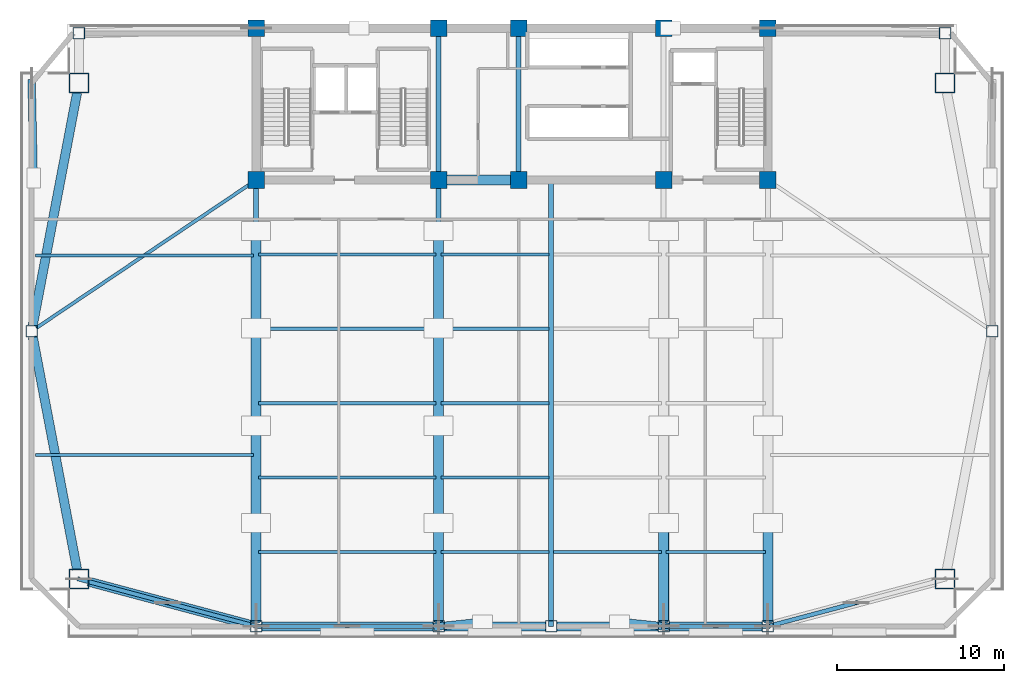
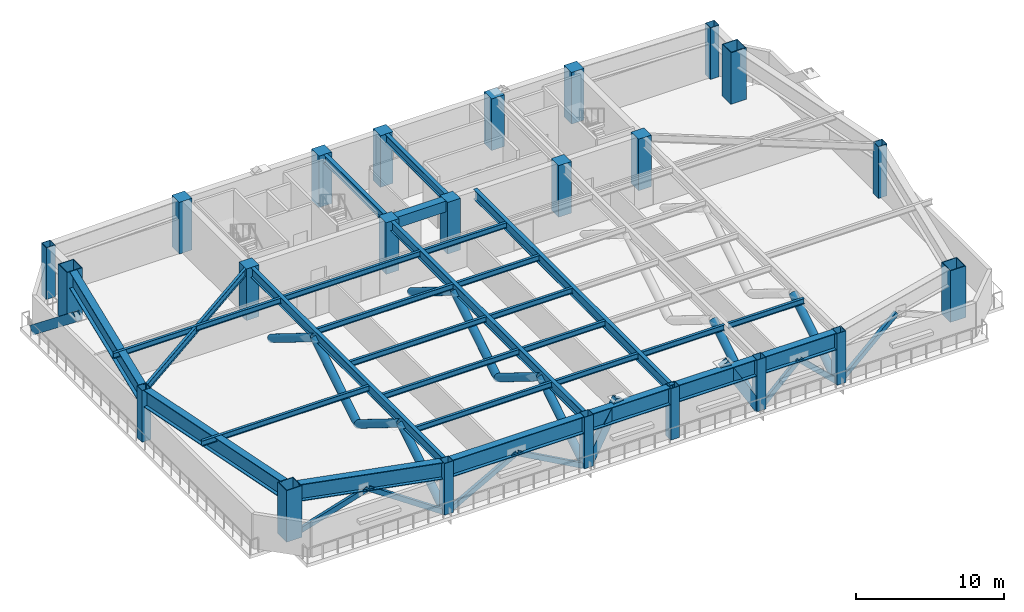
# One storey, part 1 of 11: 28 beams, 23 columns, 20 members.
"""IFC4 building model written with IfcOpenShell, lengths in metres."""

import ifcopenshell
import ifcopenshell.guid

model = None  # the IFC model being written
_history = None  # IfcOwnerHistory: only IFC2X3 demands one
_inside = {}  # id of a spatial element -> (the spatial element, [elements in it])
_under = {}  # id of a project, library or spatial element -> (it, [spatial elements below it])
_declared = {}  # id of a project -> (the project, [libraries it declares])
_typed = {}  # id of a type object -> (the type object, [elements of that type])
_made_of = {}  # id of a material, layer set ... -> (it, [elements and type objects made of it])


def new_model(schema):
    """Start an empty IFC model of exactly this schema.

    Asked for "IFC4X3", IfcOpenShell would pick the latest addendum, in which some entities
    have other attributes; the version numbers below select the first issue.
    IFC2X3 requires an IfcOwnerHistory on every rooted entity: one is made here for all.
    """
    global model, _history
    if schema == "IFC4X3":
        model = ifcopenshell.file(schema_version=(4, 3, 0, 0))
    else:
        model = ifcopenshell.file(schema=schema)
    _inside.clear()
    _under.clear()
    _declared.clear()
    _typed.clear()
    _made_of.clear()
    _history = None
    if model.schema == "IFC2X3":
        org = make("IfcOrganization", Name="unknown")
        user = make(
            "IfcPersonAndOrganization",
            ThePerson=make("IfcPerson", FamilyName="unknown"),
            TheOrganization=org,
        )
        app = make(
            "IfcApplication",
            ApplicationDeveloper=org,
            Version="unknown",
            ApplicationFullName="unknown",
            ApplicationIdentifier="unknown",
        )
        _history = make(
            "IfcOwnerHistory",
            OwningUser=user,
            OwningApplication=app,
            ChangeAction="ADDED",
            CreationDate=0,
        )
    return model


def make(cls, **values):
    """One entity of the class cls with the attributes given. An attribute that is None is left unset."""
    return model.create_entity(
        cls, **{name: value for name, value in values.items() if value is not None}
    )


def rooted(cls, **values):
    """An entity with a GlobalId (a new one), such as an element, a storey or a relation."""
    return make(cls, GlobalId=ifcopenshell.guid.new(), OwnerHistory=_history, **values)


def si_unit(unit_type, name, prefix=None):
    """IfcSIUnit, for example si_unit("LENGTHUNIT", "METRE", prefix="MILLI")."""
    return make("IfcSIUnit", UnitType=unit_type, Prefix=prefix, Name=name)


def assignment(units):
    """IfcUnitAssignment: the units of a project."""
    return None if units is None else make("IfcUnitAssignment", Units=units)


def point(xyz):
    """IfcCartesianPoint."""
    return None if xyz is None else make("IfcCartesianPoint", Coordinates=xyz)


def direction(xyz):
    """IfcDirection."""
    return None if xyz is None else make("IfcDirection", DirectionRatios=xyz)


def frame(location, z_axis=None, x_axis=None):
    """IfcAxis2Placement3D, a coordinate frame: its origin and axes. An axis left out is left unset."""
    return make(
        "IfcAxis2Placement3D",
        Location=point(location),
        Axis=direction(z_axis),
        RefDirection=direction(x_axis),
    )


def frame_2d(location, x_axis=None):
    """IfcAxis2Placement2D, a coordinate frame in the plane: its origin and x axis."""
    return make(
        "IfcAxis2Placement2D", Location=point(location), RefDirection=direction(x_axis)
    )


def origin():
    """The frame at (0, 0, 0) with its axes left unset."""
    return frame((0.0, 0.0, 0.0))


def origin_2d():
    """The frame at (0, 0) in the plane with its x axis left unset."""
    return frame_2d((0.0, 0.0))


def place(relative_to, where):
    """IfcLocalPlacement: puts the frame where relative to a parent placement (None: the world)."""
    return make(
        "IfcLocalPlacement", PlacementRelTo=relative_to, RelativePlacement=where
    )


def context(
    kind, dimensions, precision=None, world=None, true_north=None, identifier=None
):
    """IfcGeometricRepresentationContext, for example the 3D "Model" context."""
    return make(
        "IfcGeometricRepresentationContext",
        ContextIdentifier=identifier,
        ContextType=kind,
        CoordinateSpaceDimension=dimensions,
        Precision=precision,
        WorldCoordinateSystem=world,
        TrueNorth=true_north,
    )


def subcontext(parent, identifier, kind, view, scale=None):
    """IfcGeometricRepresentationSubContext, for example "Body" below "Model"."""
    return make(
        "IfcGeometricRepresentationSubContext",
        ContextIdentifier=identifier,
        ContextType=kind,
        ParentContext=parent,
        TargetScale=scale,
        TargetView=view,
    )


def project(units=None, contexts=None):
    """IfcProject with its units and contexts."""
    return rooted(
        "IfcProject",
        Name="project",
        RepresentationContexts=contexts,
        UnitsInContext=assignment(units),
    )


def spatial(cls, under=None, at=None, **own):
    """A site, building, storey or space (cls), placed at a placement, below another one or the project."""
    s = rooted(cls, ObjectPlacement=at, **own)
    if under is not None:
        _under.setdefault(under.id(), (under, []))[1].append(s)
    return s


def profile(cls, at=None, kind="AREA", **sizes):
    """A parametric profile (cls). Its sizes go by their IFC names, for example OverallWidth=200.0."""
    return make(cls, ProfileType=kind, Position=at, **sizes)


def rectangle(**sizes):
    """IfcRectangleProfileDef."""
    return profile("IfcRectangleProfileDef", **sizes)


def hollow_rectangle(**sizes):
    """IfcRectangleHollowProfileDef."""
    return profile("IfcRectangleHollowProfileDef", **sizes)


def hollow_circle(**sizes):
    """IfcCircleHollowProfileDef."""
    return profile("IfcCircleHollowProfileDef", **sizes)


def i_section(**sizes):
    """IfcIShapeProfileDef."""
    return profile("IfcIShapeProfileDef", **sizes)


def extrude(swept, where, along, depth):
    """IfcExtrudedAreaSolid: the profile swept, set in the frame where, extruded along a direction by depth."""
    return make(
        "IfcExtrudedAreaSolid",
        SweptArea=swept,
        Position=where,
        ExtrudedDirection=direction(along),
        Depth=depth,
    )


def shape(context_of_items, identifier, shape_type, items):
    """IfcShapeRepresentation: the items that make up one representation, for example the "Body"."""
    return make(
        "IfcShapeRepresentation",
        ContextOfItems=context_of_items,
        RepresentationIdentifier=identifier,
        RepresentationType=shape_type,
        Items=items,
    )


def source(mapping_origin, context_of_items, identifier, shape_type, items):
    """IfcRepresentationMap: a shape defined once, which mapped items show again and again."""
    return make(
        "IfcRepresentationMap",
        MappingOrigin=mapping_origin,
        MappedRepresentation=shape(context_of_items, identifier, shape_type, items),
    )


def transform(
    local_origin,
    x_axis=None,
    y_axis=None,
    z_axis=None,
    scale=None,
    scale2=None,
    scale3=None,
    uniform=True,
):
    """IfcCartesianTransformationOperator3D, or its non-uniform kind. x_axis, y_axis, z_axis: its Axis1, 2, 3."""
    if uniform:
        return make(
            "IfcCartesianTransformationOperator3D",
            Axis1=direction(x_axis),
            Axis2=direction(y_axis),
            LocalOrigin=point(local_origin),
            Scale=scale,
            Axis3=direction(z_axis),
        )
    return make(
        "IfcCartesianTransformationOperator3DnonUniform",
        Axis1=direction(x_axis),
        Axis2=direction(y_axis),
        LocalOrigin=point(local_origin),
        Scale=scale,
        Axis3=direction(z_axis),
        Scale2=scale2,
        Scale3=scale3,
    )


def mapped(mapping_source, mapping_target):
    """IfcMappedItem: shows the shape of a source again, moved by a transform."""
    return make(
        "IfcMappedItem", MappingSource=mapping_source, MappingTarget=mapping_target
    )


def material(Name=None, Category=None):
    """IfcMaterial."""
    return make("IfcMaterial", Name=Name, Category=Category)


def material_profile(
    of_material, cross_section, Name=None, Category=None, Priority=None
):
    """IfcMaterialProfile: a cross section and its material."""
    return make(
        "IfcMaterialProfile",
        Name=Name,
        Material=of_material,
        Profile=cross_section,
        Priority=Priority,
        Category=Category,
    )


def profile_set(profiles, Name=None, composite=None):
    """IfcMaterialProfileSet."""
    return make(
        "IfcMaterialProfileSet",
        Name=Name,
        MaterialProfiles=profiles,
        CompositeProfile=composite,
    )


def made_of(thing, what):
    """Note that an element or type object is made of a material, layer set ...; save() writes the relation."""
    if what is not None:
        _made_of.setdefault(what.id(), (what, []))[1].append(thing)
    return thing


def type_object(cls, material=None, **own):
    """A type object (cls), such as IfcWallType, which elements share."""
    return made_of(rooted(cls, **own), material)


def element(
    cls,
    number,
    at=None,
    inside=None,
    cuts=None,
    type_object=None,
    material=None,
    context=None,
    identifier="Body",
    shape_type=None,
    held_by="IfcProductDefinitionShape",
    body=None,
    shapes=None,
    **own,
):
    """One element of the class cls, such as IfcWall. Its Tag is "e" and its number.

    at: its placement. inside: the storey or other place that contains it. cuts: it is an
    opening in that element (IfcRelVoidsElement). A single representation is given by context,
    identifier, shape_type and body (its items); several are given by shapes. held_by: the class
    of the entity that holds the representations. save() writes the other relations.
    """
    e = rooted(cls, Tag="e%d" % number, ObjectPlacement=at, **own)
    if body is not None:
        shapes = [shape(context, identifier, shape_type, body)]
    if shapes is not None:
        e.Representation = make(held_by, Representations=shapes)
    if inside is not None:
        _inside.setdefault(inside.id(), (inside, []))[1].append(e)
    if cuts is not None:
        rooted(
            "IfcRelVoidsElement", RelatingBuildingElement=cuts, RelatedOpeningElement=e
        )
    if type_object is not None:
        _typed.setdefault(type_object.id(), (type_object, []))[1].append(e)
    return made_of(e, material)


def aggregate(whole, parts):
    """IfcRelAggregates: a whole, such as a stair, and the parts it consists of."""
    return rooted("IfcRelAggregates", RelatingObject=whole, RelatedObjects=parts)


def save(model, path):
    """Write the relations noted so far, then the file.

    IfcRelAggregates (storeys below a building ...), IfcRelContainedInSpatialStructure (elements
    in a storey), IfcRelDefinesByType, IfcRelAssociatesMaterial and IfcRelDeclares: one each for
    every whole, place, type object, material and project.
    """
    for whole, parts in _under.values():
        aggregate(whole, parts)
    for where, things in _inside.values():
        rooted(
            "IfcRelContainedInSpatialStructure",
            RelatedElements=things,
            RelatingStructure=where,
        )
    for kind, things in _typed.values():
        rooted("IfcRelDefinesByType", RelatedObjects=things, RelatingType=kind)
    for what, things in _made_of.values():
        rooted("IfcRelAssociatesMaterial", RelatedObjects=things, RelatingMaterial=what)
    for by, libraries in _declared.values():
        rooted("IfcRelDeclares", RelatingContext=by, RelatedDefinitions=libraries)
    model.write(path)


model = new_model("IFC4")

# Units and contexts
model_context = context("Model", 3, precision=1e-05, world=origin(), true_north=direction((0.0, 1.0)))
body_context = subcontext(model_context, "Body", "Model", "MODEL_VIEW")
ifc_project = project(units=[si_unit("LENGTHUNIT", "METRE"), si_unit("AREAUNIT", "SQUARE_METRE"), si_unit("VOLUMEUNIT", "CUBIC_METRE"), si_unit("PLANEANGLEUNIT", "RADIAN"), si_unit("MASSUNIT", "GRAM", prefix="KILO")], contexts=[model_context])

# Site, building, storey
site_placement = place(None, origin())
site = spatial("IfcSite", under=ifc_project, at=site_placement, CompositionType="ELEMENT")
building_placement = place(site_placement, origin())
building = spatial("IfcBuilding", under=site, at=building_placement, Name="Giltprow Tower", CompositionType="ELEMENT")
storey_placement = place(building_placement, frame((0.0, 0.0, 191.199951171875)))
storey = spatial("IfcBuildingStorey", under=building, at=storey_placement, Name="L48", CompositionType="ELEMENT", Elevation=191.199951171875)

# Columns
ifc_material_1 = material(Name="Concrete C50", Category="concrete")
ifc_material_profile_1 = material_profile(ifc_material_1, rectangle(XDim=1.0, YDim=1.0, at=origin_2d()), Name="RC 1000x1000")
ifc_profile_set_1 = profile_set([ifc_material_profile_1], Name="Concrete C50")
column_type_1 = type_object("IfcColumnType", Name="PIL-RC-1000-C50", PredefinedType="PILASTER", material=ifc_profile_set_1)
shared_shape_1 = source(origin(), body_context, "Body", "SweptSolid", [
    extrude(rectangle(XDim=1.0, YDim=1.0, at=origin_2d()), origin(), (0.0, 0.0, 1.0), 4.27001953125),
])
for number, where, z_axis, x_axis, name in (
    (1, (19.85009765625, 37.449951171875, 0.0), (0.0, 0.0, 1.0), (1.0, 0.0, 0.0), "L48 Core Boundary Pilaster 1-1"),
    (2, (19.85009765625, 46.550048828125, 0.0), (0.0, 0.0, 1.0), (1.0, 0.0, 0.0), "L48 Core Boundary Pilaster 1-2"),
    (3, (30.800048828125, 37.449951171875, 0.0), (0.0, 0.0, 1.0), (1.0, 0.0, 0.0), "L48 Core Boundary Pilaster 2-1"),
    (4, (30.800048828125, 46.550048828125, 0.0), (0.0, 0.0, 1.0), (1.0, 0.0, 0.0), "L48 Core Boundary Pilaster 2-2"),
    (5, (35.60009765625, 37.449951171875, 0.0), (0.0, 0.0, 1.0), (1.0, 0.0, 0.0), "L48 Core Boundary Pilaster 3-1"),
    (6, (35.60009765625, 46.550048828125, 0.0), (0.0, 0.0, 1.0), (1.0, 0.0, 0.0), "L48 Core Boundary Pilaster 3-2"),
    (7, (44.300048828125, 37.449951171875, 0.0), (0.0, 0.0, 1.0), (1.0, 0.0, 0.0), "L48 Core Boundary Pilaster 4-1"),
    (8, (44.300048828125, 46.550048828125, 0.0), (0.0, 0.0, 1.0), (1.0, 0.0, 0.0), "L48 Core Boundary Pilaster 4-2"),
    (9, (50.550048828125, 37.449951171875, 0.0), (0.0, 0.0, 1.0), (1.0, 0.0, 0.0), "L48 Core Boundary Pilaster 5-1"),
    (10, (50.550048828125, 46.550048828125, 0.0), (0.0, 0.0, 1.0), (1.0, 0.0, 0.0), "L48 Core Boundary Pilaster 5-2"),
):
    element("IfcColumn", number, at=place(storey_placement, frame(where, z_axis=z_axis, x_axis=x_axis)), inside=storey, type_object=column_type_1, Name=name, PredefinedType="PILASTER", context=body_context, shape_type="MappedRepresentation", body=[
        mapped(shared_shape_1, transform((0.0, 0.0, 0.0), x_axis=(1.0, 0.0, 0.0), y_axis=(0.0, 1.0, 0.0), z_axis=(0.0, 0.0, 1.0), scale=1.0)),
    ])
ifc_material_2 = material(Name="Structural steel Q420GJC", Category="steel")
ifc_material_profile_2 = material_profile(ifc_material_2, hollow_rectangle(XDim=1.199951171875, YDim=1.199951171875, WallThickness=0.054931640625, at=origin_2d()), Name="BOX 1200x1200x55")
ifc_profile_set_2 = profile_set([ifc_material_profile_2], Name="Structural steel Q420GJC")
column_type_2 = type_object("IfcColumnType", Name="COL-BOX-1200x1200x55", PredefinedType="COLUMN", material=ifc_profile_set_2)
shared_shape_2 = source(origin(), body_context, "Body", "SweptSolid", [
    extrude(hollow_rectangle(XDim=1.199951171875, YDim=1.199951171875, WallThickness=0.054931640625, at=origin_2d()), origin(), (0.0, 0.0, 1.0), 4.27001953125),
])
for number, where, z_axis, x_axis, name in (
    (11, (9.22412109375, 13.514892578125, 0.0), (0.0, 0.0, 1.0), (1.0, 0.0, 0.0), "L48 Mega-Column MC_SW"),
    (12, (61.177001953125, 13.514892578125, 0.0), (0.0, 0.0, 1.0), (1.0, 0.0, 0.0), "L48 Mega-Column MC_SE"),
    (13, (9.22412109375, 43.264892578125, 0.0), (0.0, 0.0, 1.0), (1.0, 0.0, 0.0), "L48 Mega-Column MC_NW"),
    (14, (61.177001953125, 43.264892578125, 0.0), (0.0, 0.0, 1.0), (1.0, 0.0, 0.0), "L48 Mega-Column MC_NE"),
):
    element("IfcColumn", number, at=place(storey_placement, frame(where, z_axis=z_axis, x_axis=x_axis)), inside=storey, type_object=column_type_2, Name=name, PredefinedType="COLUMN", context=body_context, shape_type="MappedRepresentation", body=[
        mapped(shared_shape_2, transform((0.0, 0.0, 0.0), x_axis=(1.0, 0.0, 0.0), y_axis=(0.0, 1.0, 0.0), z_axis=(0.0, 0.0, 1.0), scale=1.0)),
    ])
ifc_material_profile_3 = material_profile(ifc_material_2, hollow_rectangle(XDim=0.699951171875, YDim=0.699951171875, WallThickness=0.031982421875, at=origin_2d()), Name="BOX 700x700x32")
ifc_profile_set_3 = profile_set([ifc_material_profile_3], Name="Structural steel Q420GJC")
column_type_3 = type_object("IfcColumnType", Name="COL-BOX-700x700x32", PredefinedType="COLUMN", material=ifc_profile_set_3)
shared_shape_3 = source(origin(), body_context, "Body", "SweptSolid", [
    extrude(hollow_rectangle(XDim=0.699951171875, YDim=0.699951171875, WallThickness=0.031982421875, at=origin_2d()), origin(), (0.0, 0.0, 1.0), 4.27001953125),
])
for number, where, z_axis, x_axis, name in (
    (15, (19.85009765625, 10.679931640625, 0.0), (0.0, 0.0, 1.0), (1.0, 0.0, 0.0), "L48 Perimeter Column S1"),
    (16, (30.800048828125, 10.679931640625, 0.0), (0.0, 0.0, 1.0), (1.0, 0.0, 0.0), "L48 Perimeter Column S2"),
    (17, (37.550048828125, 10.679931640625, 0.0), (0.0, 0.0, 1.0), (1.0, 0.0, 0.0), "L48 Perimeter Column S_MID"),
    (18, (44.300048828125, 10.679931640625, 0.0), (0.0, 0.0, 1.0), (1.0, 0.0, 0.0), "L48 Perimeter Column S3"),
    (19, (50.550048828125, 10.679931640625, 0.0), (0.0, 0.0, 1.0), (1.0, 0.0, 0.0), "L48 Perimeter Column S4"),
    (20, (6.388916015625, 28.389892578125, 0.0), (0.0, 0.0, 1.0), (1.0, 0.0, 0.0), "L48 Perimeter Column W_MID"),
    (21, (64.011962890625, 28.389892578125, 0.0), (0.0, 0.0, 1.0), (1.0, 0.0, 0.0), "L48 Perimeter Column E_MID"),
    (22, (9.22412109375, 46.25, 0.0), (0.0, 0.0, 1.0), (1.0, 0.0, 0.0), "L48 Perimeter Column N_W"),
    (23, (61.177001953125, 46.25, 0.0), (0.0, 0.0, 1.0), (1.0, 0.0, 0.0), "L48 Perimeter Column N_E"),
):
    element("IfcColumn", number, at=place(storey_placement, frame(where, z_axis=z_axis, x_axis=x_axis)), inside=storey, type_object=column_type_3, Name=name, PredefinedType="COLUMN", context=body_context, shape_type="MappedRepresentation", body=[
        mapped(shared_shape_3, transform((0.0, 0.0, 0.0), x_axis=(1.0, 0.0, 0.0), y_axis=(0.0, 1.0, 0.0), z_axis=(0.0, 0.0, 1.0), scale=1.0)),
    ])

# Beams
ifc_material_3 = material(Name="Structural steel Q355B", Category="steel")
ifc_material_profile_4 = material_profile(ifc_material_3, i_section(OverallWidth=0.199951171875, OverallDepth=0.449951171875, WebThickness=0.009033203125, FlangeThickness=0.013916015625, at=origin_2d()), Name="HN 450x200x9x14")
ifc_profile_set_4 = profile_set([ifc_material_profile_4], Name="Structural steel Q355B")
beam_type_1 = type_object("IfcBeamType", Name="BM-JOIST-HN450", PredefinedType="JOIST", material=ifc_profile_set_4)
shared_shape_4 = source(origin(), body_context, "Body", "SweptSolid", [
    extrude(i_section(OverallWidth=0.199951171875, OverallDepth=0.449951171875, WebThickness=0.009033203125, FlangeThickness=0.013916015625, at=origin_2d()), origin(), (0.0, 0.0, 1.0), 10.659912109375),
])
for number, where, z_axis, x_axis, name in (
    (24, (19.9951171875, 15.14208984375, 4.045166015625), (1.0, 0.0, 0.0), (0.0, 1.0, 0.0), "L48 Composite Floor Joist 1-1"),
    (25, (19.9951171875, 19.60302734375, 4.045166015625), (1.0, 0.0, 0.0), (0.0, 1.0, 0.0), "L48 Composite Floor Joist 2-1"),
    (26, (19.9951171875, 24.06494140625, 4.045166015625), (1.0, 0.0, 0.0), (0.0, 1.0, 0.0), "L48 Composite Floor Joist 3-1"),
    (27, (19.9951171875, 28.527099609375, 4.045166015625), (1.0, 0.0, 0.0), (0.0, 1.0, 0.0), "L48 Composite Floor Joist 4-1"),
    (28, (19.9951171875, 32.988037109375, 4.045166015625), (1.0, 0.0, 0.0), (0.0, 1.0, 0.0), "L48 Composite Floor Joist 5-1"),
):
    element("IfcBeam", number, at=place(storey_placement, frame(where, z_axis=z_axis, x_axis=x_axis)), inside=storey, type_object=beam_type_1, Name=name, PredefinedType="JOIST", context=body_context, shape_type="MappedRepresentation", body=[
        mapped(shared_shape_4, transform((0.0, 0.0, 0.0), x_axis=(1.0, 0.0, 0.0), y_axis=(0.0, 1.0, 0.0), z_axis=(0.0, 0.0, 1.0), scale=1.0)),
    ])
shared_shape_5 = source(origin(), body_context, "Body", "SweptSolid", [
    extrude(i_section(OverallWidth=0.199951171875, OverallDepth=0.449951171875, WebThickness=0.009033203125, FlangeThickness=0.013916015625, at=origin_2d()), origin(), (0.0, 0.0, 1.0), 6.4599609375),
])
for number, where, z_axis, x_axis, name in (
    (29, (30.945068359375, 15.14208984375, 4.045166015625), (1.0, 0.0, 0.0), (0.0, 1.0, 0.0), "L48 Composite Floor Joist 1-2"),
    (30, (37.695068359375, 15.14208984375, 4.045166015625), (1.0, 0.0, 0.0), (0.0, 1.0, 0.0), "L48 Composite Floor Joist 1-3"),
    (31, (30.945068359375, 19.60302734375, 4.045166015625), (1.0, 0.0, 0.0), (0.0, 1.0, 0.0), "L48 Composite Floor Joist 2-2"),
    (32, (30.945068359375, 24.06494140625, 4.045166015625), (1.0, 0.0, 0.0), (0.0, 1.0, 0.0), "L48 Composite Floor Joist 3-2"),
    (33, (30.945068359375, 28.527099609375, 4.045166015625), (1.0, 0.0, 0.0), (0.0, 1.0, 0.0), "L48 Composite Floor Joist 4-2"),
    (34, (30.945068359375, 32.988037109375, 4.045166015625), (1.0, 0.0, 0.0), (0.0, 1.0, 0.0), "L48 Composite Floor Joist 5-2"),
):
    element("IfcBeam", number, at=place(storey_placement, frame(where, z_axis=z_axis, x_axis=x_axis)), inside=storey, type_object=beam_type_1, Name=name, PredefinedType="JOIST", context=body_context, shape_type="MappedRepresentation", body=[
        mapped(shared_shape_5, transform((0.0, 0.0, 0.0), x_axis=(1.0, 0.0, 0.0), y_axis=(0.0, 1.0, 0.0), z_axis=(0.0, 0.0, 1.0), scale=1.0)),
    ])
shared_shape_6 = source(origin(), body_context, "Body", "SweptSolid", [
    extrude(i_section(OverallWidth=0.199951171875, OverallDepth=0.449951171875, WebThickness=0.009033203125, FlangeThickness=0.013916015625, at=origin_2d()), origin(), (0.0, 0.0, 1.0), 5.9599609375),
])
beam_1_placement = place(storey_placement, frame((44.445068359375, 15.14208984375, 4.045166015625), z_axis=(1.0, 0.0, 0.0), x_axis=(0.0, 1.0, 0.0)))
element("IfcBeam", 35, at=beam_1_placement, inside=storey, type_object=beam_type_1, Name="L48 Composite Floor Joist 1-4", PredefinedType="JOIST", context=body_context, shape_type="MappedRepresentation", body=[
    mapped(shared_shape_6, transform((0.0, 0.0, 0.0), x_axis=(1.0, 0.0, 0.0), y_axis=(0.0, 1.0, 0.0), z_axis=(0.0, 0.0, 1.0), scale=1.0)),
])
ifc_material_profile_5 = material_profile(ifc_material_1, rectangle(XDim=0.60009765625, YDim=0.89990234375, at=origin_2d()), Name="RC 900x600")
ifc_profile_set_5 = profile_set([ifc_material_profile_5], Name="Concrete C50")
beam_type_2 = type_object("IfcBeamType", Name="BM-CPL-RC900", PredefinedType="LINTEL", material=ifc_profile_set_5)
shared_shape_7 = source(origin(), body_context, "Body", "SweptSolid", [
    extrude(rectangle(XDim=0.60009765625, YDim=0.89990234375, at=origin_2d()), origin(), (0.0, 0.0, 1.0), 3.830078125),
])
beam_2_placement = place(storey_placement, frame((31.284912109375, 37.449951171875, 3.820068359375), z_axis=(1.0, 0.0, 0.0), x_axis=(0.0, 1.0, 0.0)))
element("IfcBeam", 36, at=beam_2_placement, inside=storey, type_object=beam_type_2, Name="L48 Core Coupling Beam CB-1", PredefinedType="LINTEL", context=body_context, shape_type="MappedRepresentation", body=[
    mapped(shared_shape_7, transform((0.0, 0.0, 0.0), x_axis=(1.0, 0.0, 0.0), y_axis=(0.0, 1.0, 0.0), z_axis=(0.0, 0.0, 1.0), scale=1.0)),
])
ifc_material_profile_6 = material_profile(ifc_material_3, i_section(OverallWidth=0.300048828125, OverallDepth=0.699951171875, WebThickness=0.012939453125, FlangeThickness=0.02392578125, at=origin_2d()), Name="HN 700x300x13x24")
ifc_profile_set_6 = profile_set([ifc_material_profile_6], Name="Structural steel Q355B")
beam_type_3 = type_object("IfcBeamType", Name="BM-GIRD-HN700", PredefinedType="BEAM", material=ifc_profile_set_6)
shared_shape_8 = source(origin(), body_context, "Body", "SweptSolid", [
    extrude(i_section(OverallWidth=0.300048828125, OverallDepth=0.699951171875, WebThickness=0.012939453125, FlangeThickness=0.02392578125, at=origin_2d()), origin(), (0.0, 0.0, 1.0), 8.1298828125),
])
for number, where, z_axis, x_axis, name in (
    (37, (30.800048828125, 37.93505859375, 3.920166015625), (0.0, 1.0, 0.0), (-1.0, 0.0, 0.0), "L48 Core Tie Girder M1"),
    (38, (35.60009765625, 37.93505859375, 3.920166015625), (0.0, 1.0, 0.0), (-1.0, 0.0, 0.0), "L48 Core Tie Girder M2"),
):
    element("IfcBeam", number, at=place(storey_placement, frame(where, z_axis=z_axis, x_axis=x_axis)), inside=storey, type_object=beam_type_3, Name=name, PredefinedType="BEAM", context=body_context, shape_type="MappedRepresentation", body=[
        mapped(shared_shape_8, transform((0.0, 0.0, 0.0), x_axis=(1.0, 0.0, 0.0), y_axis=(0.0, 1.0, 0.0), z_axis=(0.0, 0.0, 1.0), scale=1.0)),
    ])
ifc_material_profile_7 = material_profile(ifc_material_3, i_section(OverallWidth=0.300048828125, OverallDepth=0.800048828125, WebThickness=0.013916015625, FlangeThickness=0.02587890625, at=origin_2d()), Name="HN 800x300x14x26")
ifc_profile_set_7 = profile_set([ifc_material_profile_7], Name="Structural steel Q355B")
beam_type_4 = type_object("IfcBeamType", Name="BM-GIRD-HN800", PredefinedType="BEAM", material=ifc_profile_set_7)
shared_shape_9 = source(origin(), body_context, "Body", "SweptSolid", [
    extrude(i_section(OverallWidth=0.300048828125, OverallDepth=0.800048828125, WebThickness=0.013916015625, FlangeThickness=0.02587890625, at=origin_2d()), origin(), (0.0, 0.0, 1.0), 25.9501953125),
])
for number, where, z_axis, x_axis, name in (
    (39, (19.85009765625, 11.014892578125, 3.8701171875), (0.0, 1.0, 0.0), (-1.0, 0.0, 0.0), "L48 Primary Lease Girder S1"),
    (40, (30.800048828125, 11.014892578125, 3.8701171875), (0.0, 1.0, 0.0), (-1.0, 0.0, 0.0), "L48 Primary Lease Girder S2"),
):
    element("IfcBeam", number, at=place(storey_placement, frame(where, z_axis=z_axis, x_axis=x_axis)), inside=storey, type_object=beam_type_4, Name=name, PredefinedType="BEAM", context=body_context, shape_type="MappedRepresentation", body=[
        mapped(shared_shape_9, transform((0.0, 0.0, 0.0), x_axis=(1.0, 0.0, 0.0), y_axis=(0.0, 1.0, 0.0), z_axis=(0.0, 0.0, 1.0), scale=1.0)),
    ])
shared_shape_10 = source(origin(), body_context, "Body", "SweptSolid", [
    extrude(i_section(OverallWidth=0.300048828125, OverallDepth=0.800048828125, WebThickness=0.013916015625, FlangeThickness=0.02587890625, at=origin_2d()), origin(), (0.0, 0.0, 1.0), 26.77001953125),
])
beam_3_placement = place(storey_placement, frame((37.550048828125, 10.679931640625, 3.8701171875), z_axis=(0.0, 1.0, 0.0), x_axis=(-1.0, 0.0, 0.0)))
element("IfcBeam", 41, at=beam_3_placement, inside=storey, type_object=beam_type_4, Name="L48 Central Lease Girder SMID", PredefinedType="BEAM", context=body_context, shape_type="MappedRepresentation", body=[
    mapped(shared_shape_10, transform((0.0, 0.0, 0.0), x_axis=(1.0, 0.0, 0.0), y_axis=(0.0, 1.0, 0.0), z_axis=(0.0, 0.0, 1.0), scale=1.0)),
])
ifc_material_profile_8 = material_profile(ifc_material_3, i_section(OverallWidth=0.199951171875, OverallDepth=0.60009765625, WebThickness=0.010986328125, FlangeThickness=0.01708984375, at=origin_2d()), Name="HN 600x200x11x17")
ifc_profile_set_8 = profile_set([ifc_material_profile_8], Name="Structural steel Q355B")
beam_type_5 = type_object("IfcBeamType", Name="BM-GIRD-HN600", PredefinedType="BEAM", material=ifc_profile_set_8)
shared_shape_11 = source(origin(), body_context, "Body", "SweptSolid", [
    extrude(i_section(OverallWidth=0.199951171875, OverallDepth=0.60009765625, WebThickness=0.010986328125, FlangeThickness=0.01708984375, at=origin_2d()), origin(), (0.0, 0.0, 1.0), 15.40625),
])
beam_4_placement = place(storey_placement, frame((6.6669921875, 28.576904296875, 3.969970703125), z_axis=(0.829604263751, 0.558351829554, 0.0), x_axis=(-0.558351829554, 0.829604263751, 0.0)))
element("IfcBeam", 42, at=beam_4_placement, inside=storey, type_object=beam_type_5, Name="L48 West Wing Primary Girder", PredefinedType="BEAM", context=body_context, shape_type="MappedRepresentation", body=[
    mapped(shared_shape_11, transform((0.0, 0.0, 0.0), x_axis=(1.0, 0.0, 0.0), y_axis=(0.0, 1.0, 0.0), z_axis=(0.0, 0.0, 1.0), scale=1.0)),
])
shared_shape_12 = source(origin(), body_context, "Body", "SweptSolid", [
    extrude(i_section(OverallWidth=0.199951171875, OverallDepth=0.449951171875, WebThickness=0.009033203125, FlangeThickness=0.013916015625, at=origin_2d()), origin(), (0.0, 0.0, 1.0), 13.09619140625),
])
for number, where, z_axis, x_axis, name in (
    (43, (6.60888671875, 20.952880859375, 4.045166015625), (1.0, 0.0, 0.0), (0.0, 1.0, 0.0), "L48 West Wing Floor Joist 1"),
    (44, (6.60888671875, 32.919921875, 4.045166015625), (1.0, 0.0, 0.0), (0.0, 1.0, 0.0), "L48 West Wing Floor Joist 2"),
):
    element("IfcBeam", number, at=place(storey_placement, frame(where, z_axis=z_axis, x_axis=x_axis)), inside=storey, type_object=beam_type_1, Name=name, PredefinedType="JOIST", context=body_context, shape_type="MappedRepresentation", body=[
        mapped(shared_shape_12, transform((0.0, 0.0, 0.0), x_axis=(1.0, 0.0, 0.0), y_axis=(0.0, 1.0, 0.0), z_axis=(0.0, 0.0, 1.0), scale=1.0)),
    ])
ifc_material_profile_9 = material_profile(ifc_material_2, i_section(OverallWidth=0.550048828125, OverallDepth=1.39990234375, WebThickness=0.031982421875, FlangeThickness=0.050048828125, at=origin_2d()), Name="WH 1400x550x32x50")
ifc_profile_set_9 = profile_set([ifc_material_profile_9], Name="Structural steel Q420GJC")
beam_type_6 = type_object("IfcBeamType", Name="BM-XFER-WH1400", PredefinedType="BEAM", material=ifc_profile_set_9)
shared_shape_13 = source(origin(), body_context, "Body", "SweptSolid", [
    extrude(i_section(OverallWidth=0.550048828125, OverallDepth=1.39990234375, WebThickness=0.031982421875, FlangeThickness=0.050048828125, at=origin_2d()), origin(), (0.0, 0.0, 1.0), 10.077392578125),
])
beam_5_placement = place(storey_placement, frame((9.7890625, 13.364013671875, 3.570068359375), z_axis=(0.96619994808, -0.257793832995, 0.0), x_axis=(0.257793832995, 0.96619994808, 0.0)))
element("IfcBeam", 45, at=beam_5_placement, inside=storey, type_object=beam_type_6, Name="L48 Perimeter Spandrel Beam MC_SW-S1", PredefinedType="BEAM", context=body_context, shape_type="MappedRepresentation", body=[
    mapped(shared_shape_13, transform((0.0, 0.0, 0.0), x_axis=(1.0, 0.0, 0.0), y_axis=(0.0, 1.0, 0.0), z_axis=(0.0, 0.0, 1.0), scale=1.0)),
])
shared_shape_14 = source(origin(), body_context, "Body", "SweptSolid", [
    extrude(i_section(OverallWidth=0.550048828125, OverallDepth=1.39990234375, WebThickness=0.031982421875, FlangeThickness=0.050048828125, at=origin_2d()), origin(), (0.0, 0.0, 1.0), 10.280029296875),
])
beam_6_placement = place(storey_placement, frame((20.18505859375, 10.679931640625, 3.570068359375), z_axis=(1.0, 0.0, 0.0), x_axis=(0.0, 1.0, 0.0)))
element("IfcBeam", 46, at=beam_6_placement, inside=storey, type_object=beam_type_6, Name="L48 Perimeter Spandrel Beam S1-S2", PredefinedType="BEAM", context=body_context, shape_type="MappedRepresentation", body=[
    mapped(shared_shape_14, transform((0.0, 0.0, 0.0), x_axis=(1.0, 0.0, 0.0), y_axis=(0.0, 1.0, 0.0), z_axis=(0.0, 0.0, 1.0), scale=1.0)),
])
shared_shape_15 = source(origin(), body_context, "Body", "SweptSolid", [
    extrude(i_section(OverallWidth=0.550048828125, OverallDepth=1.39990234375, WebThickness=0.031982421875, FlangeThickness=0.050048828125, at=origin_2d()), origin(), (0.0, 0.0, 1.0), 6.080078125),
])
for number, where, z_axis, x_axis, name in (
    (47, (31.135009765625, 10.679931640625, 3.570068359375), (1.0, 0.0, 0.0), (0.0, 1.0, 0.0), "L48 Perimeter Spandrel Beam S2-S_MID"),
    (48, (37.885009765625, 10.679931640625, 3.570068359375), (1.0, 0.0, 0.0), (0.0, 1.0, 0.0), "L48 Perimeter Spandrel Beam S_MID-S3"),
):
    element("IfcBeam", number, at=place(storey_placement, frame(where, z_axis=z_axis, x_axis=x_axis)), inside=storey, type_object=beam_type_6, Name=name, PredefinedType="BEAM", context=body_context, shape_type="MappedRepresentation", body=[
        mapped(shared_shape_15, transform((0.0, 0.0, 0.0), x_axis=(1.0, 0.0, 0.0), y_axis=(0.0, 1.0, 0.0), z_axis=(0.0, 0.0, 1.0), scale=1.0)),
    ])
shared_shape_16 = source(origin(), body_context, "Body", "SweptSolid", [
    extrude(i_section(OverallWidth=0.550048828125, OverallDepth=1.39990234375, WebThickness=0.031982421875, FlangeThickness=0.050048828125, at=origin_2d()), origin(), (0.0, 0.0, 1.0), 5.580078125),
])
beam_7_placement = place(storey_placement, frame((44.635009765625, 10.679931640625, 3.570068359375), z_axis=(1.0, 0.0, 0.0), x_axis=(0.0, 1.0, 0.0)))
element("IfcBeam", 49, at=beam_7_placement, inside=storey, type_object=beam_type_6, Name="L48 Perimeter Spandrel Beam S3-S4", PredefinedType="BEAM", context=body_context, shape_type="MappedRepresentation", body=[
    mapped(shared_shape_16, transform((0.0, 0.0, 0.0), x_axis=(1.0, 0.0, 0.0), y_axis=(0.0, 1.0, 0.0), z_axis=(0.0, 0.0, 1.0), scale=1.0)),
])
shared_shape_17 = source(origin(), body_context, "Body", "SweptSolid", [
    extrude(i_section(OverallWidth=0.550048828125, OverallDepth=1.39990234375, WebThickness=0.031982421875, FlangeThickness=0.050048828125, at=origin_2d()), origin(), (0.0, 0.0, 1.0), 14.222412109375),
])
for number, where, z_axis, x_axis, name in (
    (50, (9.114013671875, 42.68994140625, 3.570068359375), (-0.187178367581, -0.982325943213, 0.0), (0.982325943213, -0.187178367581, 0.0), "L48 Perimeter Spandrel Beam MC_NW-W_MID"),
    (51, (6.451904296875, 28.06103515625, 3.570068359375), (0.187178367581, -0.982325943213, 0.0), (0.982325943213, 0.187178367581, 0.0), "L48 Perimeter Spandrel Beam W_MID-MC_SW"),
):
    element("IfcBeam", number, at=place(storey_placement, frame(where, z_axis=z_axis, x_axis=x_axis)), inside=storey, type_object=beam_type_6, Name=name, PredefinedType="BEAM", context=body_context, shape_type="MappedRepresentation", body=[
        mapped(shared_shape_17, transform((0.0, 0.0, 0.0), x_axis=(1.0, 0.0, 0.0), y_axis=(0.0, 1.0, 0.0), z_axis=(0.0, 0.0, 1.0), scale=1.0)),
    ])

# Members
ifc_material_profile_10 = material_profile(ifc_material_2, hollow_circle(Radius=0.304931640625, WallThickness=0.028076171875, at=origin_2d()), Name="CHS 610x28")
ifc_profile_set_10 = profile_set([ifc_material_profile_10], Name="Structural steel Q420GJC")
member_type_1 = type_object("IfcMemberType", Name="MBR-OUTR-CHS610", PredefinedType="BRACE", material=ifc_profile_set_10)
shared_shape_18 = source(origin(), body_context, "Body", "SweptSolid", [
    extrude(hollow_circle(Radius=0.304931640625, WallThickness=0.028076171875, at=origin_2d()), origin(), (0.0, 0.0, 1.0), 6.8779296875),
])
for number, where, z_axis, x_axis, name in (
    (52, (19.85009765625, 11.030029296875, -0.079833984375), (0.0, 0.849393274177, 0.527760424609), (-1.0, 0.0, 0.0), "L48 Outrigger Truss Diagonal S1-1"),
    (53, (30.800048828125, 11.030029296875, -0.079833984375), (0.0, 0.849393274177, 0.527760424609), (-1.0, 0.0, 0.0), "L48 Outrigger Truss Diagonal S2-1"),
    (54, (44.300048828125, 11.030029296875, -0.079833984375), (0.0, 0.849393274177, 0.527760424609), (-1.0, 0.0, 0.0), "L48 Outrigger Truss Diagonal S3-1"),
    (55, (50.550048828125, 11.030029296875, -0.079833984375), (0.0, 0.849393274177, 0.527760424609), (-1.0, 0.0, 0.0), "L48 Outrigger Truss Diagonal S4-1"),
):
    element("IfcMember", number, at=place(storey_placement, frame(where, z_axis=z_axis, x_axis=x_axis)), inside=storey, type_object=member_type_1, Name=name, PredefinedType="BRACE", context=body_context, shape_type="MappedRepresentation", body=[
        mapped(shared_shape_18, transform((0.0, 0.0, 0.0), x_axis=(1.0, 0.0, 0.0), y_axis=(0.0, 1.0, 0.0), z_axis=(0.0, 0.0, 1.0), scale=1.0)),
    ])
shared_shape_19 = source(origin(), body_context, "Body", "SweptSolid", [
    extrude(hollow_circle(Radius=0.304931640625, WallThickness=0.028076171875, at=origin_2d()), origin(), (0.0, 0.0, 1.0), 6.878662109375),
])
for number, where, z_axis, x_axis, name in (
    (56, (19.85009765625, 16.8720703125, 3.550048828125), (0.0, 0.84943281442, -0.52769678205), (-1.0, 0.0, 0.0), "L48 Outrigger Truss Diagonal S1-2"),
    (57, (19.85009765625, 28.556884765625, 3.550048828125), (0.0, 0.84943281442, -0.52769678205), (-1.0, 0.0, 0.0), "L48 Outrigger Truss Diagonal S1-4"),
    (58, (30.800048828125, 16.8720703125, 3.550048828125), (0.0, 0.84943281442, -0.52769678205), (-1.0, 0.0, 0.0), "L48 Outrigger Truss Diagonal S2-2"),
    (59, (30.800048828125, 28.556884765625, 3.550048828125), (0.0, 0.84943281442, -0.52769678205), (-1.0, 0.0, 0.0), "L48 Outrigger Truss Diagonal S2-4"),
):
    element("IfcMember", number, at=place(storey_placement, frame(where, z_axis=z_axis, x_axis=x_axis)), inside=storey, type_object=member_type_1, Name=name, PredefinedType="BRACE", context=body_context, shape_type="MappedRepresentation", body=[
        mapped(shared_shape_19, transform((0.0, 0.0, 0.0), x_axis=(1.0, 0.0, 0.0), y_axis=(0.0, 1.0, 0.0), z_axis=(0.0, 0.0, 1.0), scale=1.0)),
    ])
shared_shape_20 = source(origin(), body_context, "Body", "SweptSolid", [
    extrude(hollow_circle(Radius=0.304931640625, WallThickness=0.028076171875, at=origin_2d()), origin(), (0.0, 0.0, 1.0), 6.877685546875),
])
for number, where, z_axis, x_axis, name in (
    (60, (19.85009765625, 22.715087890625, -0.079833984375), (0.0, 0.849383386881, 0.527776337184), (-1.0, 0.0, 0.0), "L48 Outrigger Truss Diagonal S1-3"),
    (61, (30.800048828125, 22.715087890625, -0.079833984375), (0.0, 0.849383386881, 0.527776337184), (-1.0, 0.0, 0.0), "L48 Outrigger Truss Diagonal S2-3"),
):
    element("IfcMember", number, at=place(storey_placement, frame(where, z_axis=z_axis, x_axis=x_axis)), inside=storey, type_object=member_type_1, Name=name, PredefinedType="BRACE", context=body_context, shape_type="MappedRepresentation", body=[
        mapped(shared_shape_20, transform((0.0, 0.0, 0.0), x_axis=(1.0, 0.0, 0.0), y_axis=(0.0, 1.0, 0.0), z_axis=(0.0, 0.0, 1.0), scale=1.0)),
    ])
ifc_material_profile_11 = material_profile(ifc_material_2, hollow_rectangle(XDim=0.25, YDim=0.39990234375, WallThickness=0.01806640625, at=origin_2d()), Name="RHS 400x250x18")
ifc_profile_set_11 = profile_set([ifc_material_profile_11], Name="Structural steel Q420GJC")
member_type_2 = type_object("IfcMemberType", Name="MBR-BELT-RHS400", PredefinedType="CHORD", material=ifc_profile_set_11)
shared_shape_21 = source(origin(), body_context, "Body", "SweptSolid", [
    extrude(hollow_rectangle(XDim=0.25, YDim=0.39990234375, WallThickness=0.01806640625, at=origin_2d()), origin(), (0.0, 0.0, 1.0), 6.278076171875),
])
member_1_placement = place(storey_placement, frame((9.22412109375, 13.514892578125, -0.079833984375), z_axis=(0.846265016023, -0.225701780764, 0.482591161145), x_axis=(0.257695812004, 0.96622609594, 0.0)))
element("IfcMember", 62, at=member_1_placement, inside=storey, type_object=member_type_2, Name="L48 Belt-Truss Diagonal 1-1", PredefinedType="CHORD", context=body_context, shape_type="MappedRepresentation", body=[
    mapped(shared_shape_21, transform((0.0, 0.0, 0.0), x_axis=(1.0, 0.0, 0.0), y_axis=(0.0, 1.0, 0.0), z_axis=(0.0, 0.0, 1.0), scale=1.0)),
])
shared_shape_22 = source(origin(), body_context, "Body", "SweptSolid", [
    extrude(hollow_rectangle(XDim=0.25, YDim=0.39990234375, WallThickness=0.01806640625, at=origin_2d()), origin(), (0.0, 0.0, 1.0), 6.2783203125),
])
member_2_placement = place(storey_placement, frame((19.85009765625, 10.679931640625, -0.079833984375), z_axis=(-0.84623529692, 0.225849398241, 0.482574213527), x_axis=(-0.257861605563, -0.966181862993, 0.0)))
element("IfcMember", 63, at=member_2_placement, inside=storey, type_object=member_type_2, Name="L48 Belt-Truss Diagonal 1-2", PredefinedType="CHORD", context=body_context, shape_type="MappedRepresentation", body=[
    mapped(shared_shape_22, transform((0.0, 0.0, 0.0), x_axis=(1.0, 0.0, 0.0), y_axis=(0.0, 1.0, 0.0), z_axis=(0.0, 0.0, 1.0), scale=1.0)),
])
shared_shape_23 = source(origin(), body_context, "Body", "SweptSolid", [
    extrude(hollow_rectangle(XDim=0.25, YDim=0.39990234375, WallThickness=0.01806640625, at=origin_2d()), origin(), (0.0, 0.0, 1.0), 6.25732421875),
])
member_3_placement = place(storey_placement, frame((19.85009765625, 10.679931640625, -0.079833984375), z_axis=(0.874956673409, 0.0, 0.48420121815), x_axis=(0.0, 1.0, 0.0)))
element("IfcMember", 64, at=member_3_placement, inside=storey, type_object=member_type_2, Name="L48 Belt-Truss Diagonal 2-1", PredefinedType="CHORD", context=body_context, shape_type="MappedRepresentation", body=[
    mapped(shared_shape_23, transform((0.0, 0.0, 0.0), x_axis=(1.0, 0.0, 0.0), y_axis=(0.0, 1.0, 0.0), z_axis=(0.0, 0.0, 1.0), scale=1.0)),
])
shared_shape_24 = source(origin(), body_context, "Body", "SweptSolid", [
    extrude(hollow_rectangle(XDim=0.25, YDim=0.39990234375, WallThickness=0.01806640625, at=origin_2d()), origin(), (0.0, 0.0, 1.0), 6.257568359375),
])
member_4_placement = place(storey_placement, frame((30.800048828125, 10.679931640625, -0.079833984375), z_axis=(-0.874965820513, 0.0, 0.484184688868), x_axis=(0.0, -1.0, 0.0)))
element("IfcMember", 65, at=member_4_placement, inside=storey, type_object=member_type_2, Name="L48 Belt-Truss Diagonal 2-2", PredefinedType="CHORD", context=body_context, shape_type="MappedRepresentation", body=[
    mapped(shared_shape_24, transform((0.0, 0.0, 0.0), x_axis=(1.0, 0.0, 0.0), y_axis=(0.0, 1.0, 0.0), z_axis=(0.0, 0.0, 1.0), scale=1.0)),
])
shared_shape_25 = source(origin(), body_context, "Body", "SweptSolid", [
    extrude(hollow_rectangle(XDim=0.25, YDim=0.39990234375, WallThickness=0.01806640625, at=origin_2d()), origin(), (0.0, 0.0, 1.0), 4.3525390625),
])
for number, where, z_axis, x_axis, name in (
    (66, (44.300048828125, 10.679931640625, -0.079833984375), (0.717959852723, 0.0, 0.69608451346), (0.0, 1.0, 0.0), "L48 Belt-Truss Diagonal 3-1"),
    (67, (50.550048828125, 10.679931640625, -0.079833984375), (-0.717959852723, 0.0, 0.69608451346), (0.0, -1.0, 0.0), "L48 Belt-Truss Diagonal 3-2"),
):
    element("IfcMember", number, at=place(storey_placement, frame(where, z_axis=z_axis, x_axis=x_axis)), inside=storey, type_object=member_type_2, Name=name, PredefinedType="CHORD", context=body_context, shape_type="MappedRepresentation", body=[
        mapped(shared_shape_25, transform((0.0, 0.0, 0.0), x_axis=(1.0, 0.0, 0.0), y_axis=(0.0, 1.0, 0.0), z_axis=(0.0, 0.0, 1.0), scale=1.0)),
    ])
shared_shape_26 = source(origin(), body_context, "Body", "SweptSolid", [
    extrude(hollow_rectangle(XDim=0.25, YDim=0.39990234375, WallThickness=0.01806640625, at=origin_2d()), origin(), (0.0, 0.0, 1.0), 6.279296875),
])
member_5_placement = place(storey_placement, frame((50.550048828125, 10.679931640625, -0.079833984375), z_axis=(0.846279444844, 0.225819673603, 0.482510700657), x_axis=(-0.257817367738, 0.966193668419, 0.0)))
element("IfcMember", 68, at=member_5_placement, inside=storey, type_object=member_type_2, Name="L48 Belt-Truss Diagonal 4-1", PredefinedType="CHORD", context=body_context, shape_type="MappedRepresentation", body=[
    mapped(shared_shape_26, transform((0.0, 0.0, 0.0), x_axis=(1.0, 0.0, 0.0), y_axis=(0.0, 1.0, 0.0), z_axis=(0.0, 0.0, 1.0), scale=1.0)),
])
ifc_material_profile_12 = material_profile(ifc_material_2, hollow_rectangle(XDim=0.449951171875, YDim=0.699951171875, WallThickness=0.031982421875, at=origin_2d()), Name="RHS 700x450x32")
ifc_profile_set_12 = profile_set([ifc_material_profile_12], Name="Structural steel Q420GJC")
member_type_3 = type_object("IfcMemberType", Name="MBR-MEGA-RHS700", PredefinedType="BRACE", material=ifc_profile_set_12)
shared_shape_27 = source(origin(), body_context, "Body", "SweptSolid", [
    extrude(hollow_rectangle(XDim=0.449951171875, YDim=0.699951171875, WallThickness=0.031982421875, at=origin_2d()), origin(), (0.0, 0.0, 1.0), 5.22509765625),
])
for number, where, z_axis, x_axis, name in (
    (69, (30.800048828125, 10.679931640625, 0.0), (0.505431270913, 0.052846701248, 0.861247035728), (-0.103990756788, 0.994578263639, 0.0), "L48 Chevron Mega-Brace S-L"),
    (70, (44.300048828125, 10.679931640625, 0.0), (-0.505466058754, 0.052845453175, 0.861226695781), (-0.103981247974, -0.994579257812, 0.0), "L48 Chevron Mega-Brace S-R"),
):
    element("IfcMember", number, at=place(storey_placement, frame(where, z_axis=z_axis, x_axis=x_axis)), inside=storey, type_object=member_type_3, Name=name, PredefinedType="BRACE", context=body_context, shape_type="MappedRepresentation", body=[
        mapped(shared_shape_27, transform((0.0, 0.0, 0.0), x_axis=(1.0, 0.0, 0.0), y_axis=(0.0, 1.0, 0.0), z_axis=(0.0, 0.0, 1.0), scale=1.0)),
    ])
shared_shape_28 = source(origin(), body_context, "Body", "SweptSolid", [
    extrude(hollow_rectangle(XDim=0.449951171875, YDim=0.699951171875, WallThickness=0.031982421875, at=origin_2d()), origin(), (0.0, 0.0, 1.0), 7.249755859375),
])
member_6_placement = place(storey_placement, frame((6.388916015625, 43.264892578125, 0.0), z_axis=(0.016972377764, -0.783861184956, 0.620704101092), x_axis=(0.999765671889, 0.021647201041, 0.0)))
element("IfcMember", 71, at=member_6_placement, inside=storey, type_object=member_type_3, Name="L48 Chevron Mega-Brace W-R", PredefinedType="BRACE", context=body_context, shape_type="MappedRepresentation", body=[
    mapped(shared_shape_28, transform((0.0, 0.0, 0.0), x_axis=(1.0, 0.0, 0.0), y_axis=(0.0, 1.0, 0.0), z_axis=(0.0, 0.0, 1.0), scale=1.0)),
])

save(model, "model.ifc")
